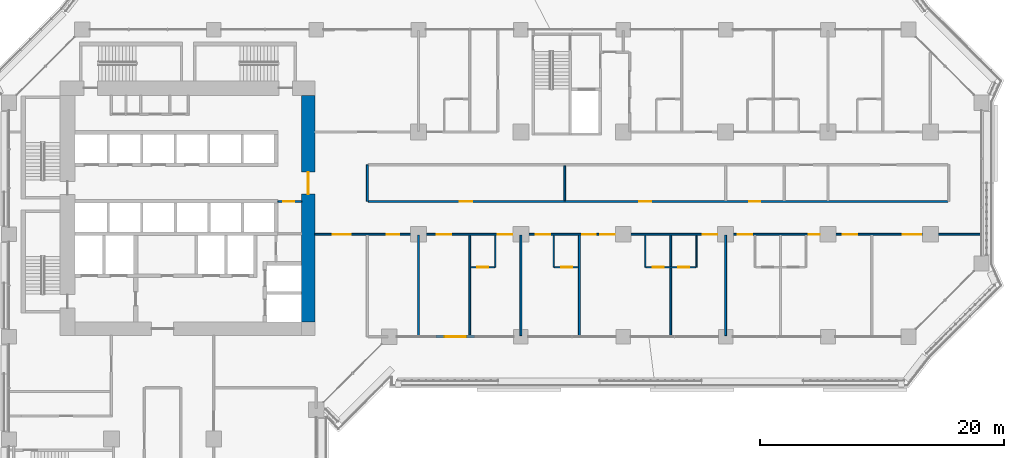
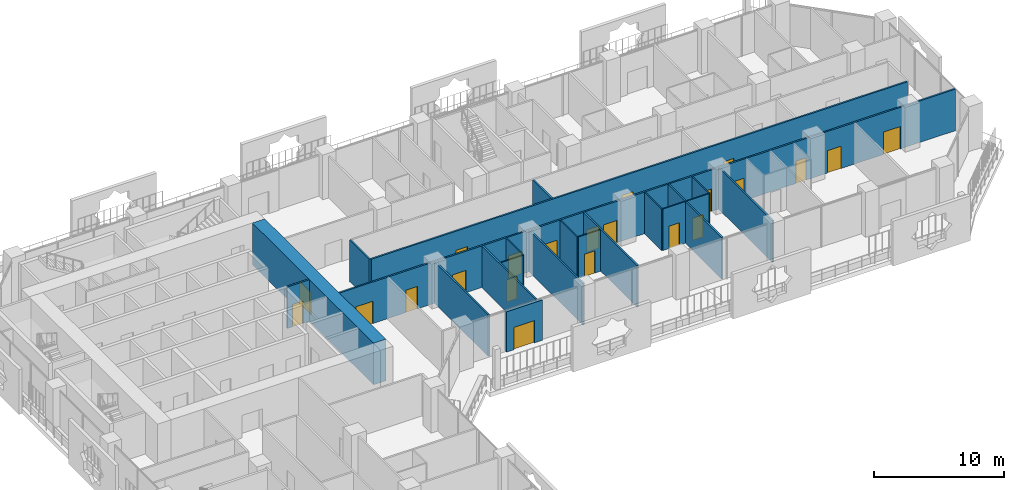
# One storey, part 16 of 28: 22 doors, 20 walls, 22 openings.
"""IFC4 building model written with IfcOpenShell, lengths in metres."""

from ifc_helpers import new_model, si_unit, direction, frame, frame_2d, origin, place, context, subcontext, project, spatial, rectangle, extrude, material, layer, layer_set, type_object, element, fill, save


model = new_model("IFC4")

# Units and contexts
model_context = context("Model", 3, precision=1e-05, world=origin(), true_north=direction((0.0, 1.0)))
body_context = subcontext(model_context, "Body", "Model", "MODEL_VIEW")
ifc_project = project(units=[si_unit("LENGTHUNIT", "METRE"), si_unit("AREAUNIT", "SQUARE_METRE"), si_unit("VOLUMEUNIT", "CUBIC_METRE"), si_unit("PLANEANGLEUNIT", "RADIAN"), si_unit("MASSUNIT", "GRAM", prefix="KILO")], contexts=[model_context])

# Site, building, storey
site_placement = place(None, origin())
site = spatial("IfcSite", under=ifc_project, at=site_placement, CompositionType="ELEMENT")
building_placement = place(site_placement, origin())
building = spatial("IfcBuilding", under=site, at=building_placement, Name="Kawkab Arch Medical Tower", CompositionType="ELEMENT")
storey_placement = place(building_placement, frame((0.0, 0.0, 56.0)))
storey = spatial("IfcBuildingStorey", under=building, at=storey_placement, Name="L12", CompositionType="ELEMENT", Elevation=56.0)

# Wall, opening, door
ifc_material_1 = material(Name="Concrete C60/75", Category="concrete")
ifc_layer_1 = layer(ifc_material_1, 1.10009765625)
ifc_layer_set_1 = layer_set([ifc_layer_1], Name="Concrete C60/75")
wall_type_1 = type_object("IfcWallType", Name="Core ring wall 1100 C60/75", PredefinedType="SHEAR", material=ifc_layer_set_1)
wall_1_placement = place(storey_placement, frame((24.550048828125, -24.0, 0.0), z_axis=(0.0, 0.0, 1.0), x_axis=(0.0, 1.0, 0.0)))
wall_1 = element("IfcWall", 1, at=wall_1_placement, inside=storey, type_object=wall_type_1, Name="L12 core wall", PredefinedType="SHEAR", context=body_context, shape_type="SweptSolid", body=[
    extrude(rectangle(XDim=18.60009765625, YDim=1.10009765625, at=frame_2d((9.300048828125, 0.0))), origin(), (0.0, 0.0, 1.0), 3.89990234375),
])
opening_1_placement = place(wall_1_placement, frame((10.5, 0.0, 0.0)))
opening_1 = element("IfcOpeningElement", 2, at=opening_1_placement, cuts=wall_1, Name="Opening PD", PredefinedType="OPENING", context=body_context, shape_type="SweptSolid", body=[
    extrude(rectangle(XDim=1.800048828125, YDim=2.10009765625, at=frame_2d((0.89990234375, 1.050048828125))), frame((0.0, 0.56005859375, 0.0), z_axis=(0.0, -1.0, 0.0), x_axis=(1.0, 0.0, 0.0)), (0.0, 0.0, 1.0), 1.1201171875),
])
ifc_material_2 = material(Name="Hollow metal fire door leaf")
door_type_1 = type_object("IfcDoorType", Name="Core entrance doors 1800", OperationType="DOUBLE_DOOR_SINGLE_SWING", PredefinedType="DOOR", material=ifc_material_2)
door_1_placement = place(opening_1_placement, origin())
door_1 = element("IfcDoor", 3, at=door_1_placement, inside=storey, type_object=door_type_1, Name="L12 East entrance doors", OperationType="DOUBLE_DOOR_SINGLE_SWING", OverallHeight=2.10009765625, OverallWidth=1.800048828125, PredefinedType="DOOR", context=body_context, shape_type="SweptSolid", body=[
    extrude(rectangle(XDim=1.800048828125, YDim=2.10009765625, at=frame_2d((0.89990234375, 1.050048828125))), frame((0.0, 0.02490234375, 0.0), z_axis=(0.0, -1.0, 0.0), x_axis=(1.0, 0.0, 0.0)), (0.0, 0.0, 1.0), 0.050048828125),
])
fill(opening_1, door_1)

ifc_material_3 = material(Name="Gypsum board on steel studs", Category="steel")
ifc_layer_2 = layer(ifc_material_3, 0.14990234375)
ifc_layer_set_2 = layer_set([ifc_layer_2], Name="Gypsum board on steel studs")
wall_type_2 = type_object("IfcWallType", Name="Core room partition 150", PredefinedType="PARTITIONING", material=ifc_layer_set_2)
wall_2_placement = place(storey_placement, frame((22.050048828125, -14.10009765625, 0.0), z_axis=(0.0, 0.0, 1.0), x_axis=(1.0, 0.0, 0.0)))
wall_2 = element("IfcWall", 4, at=wall_2_placement, inside=storey, type_object=wall_type_2, Name="L12 core room partition", PredefinedType="PARTITIONING", context=body_context, shape_type="SweptSolid", body=[
    extrude(rectangle(XDim=1.949951171875, YDim=0.14990234375, at=frame_2d((0.97509765625, 0.0))), origin(), (0.0, 0.0, 1.0), 3.89990234375),
])
opening_2_placement = place(wall_2_placement, frame((0.449951171875, 0.0, 0.0)))
opening_2 = element("IfcOpeningElement", 5, at=opening_2_placement, cuts=wall_2, Name="Opening RD", PredefinedType="OPENING", context=body_context, shape_type="SweptSolid", body=[
    extrude(rectangle(XDim=0.89990234375, YDim=2.10009765625, at=frame_2d((0.449951171875, 1.050048828125))), frame((0.0, 0.0849609375, 0.0), z_axis=(0.0, -1.0, 0.0), x_axis=(1.0, 0.0, 0.0)), (0.0, 0.0, 1.0), 0.169921875),
])
ifc_material_4 = material(Name="Hollow metal fire door leaf")
door_type_2 = type_object("IfcDoorType", Name="Core room door 900", OperationType="SINGLE_SWING_LEFT", PredefinedType="DOOR", material=ifc_material_4)
door_2_placement = place(opening_2_placement, origin())
door_2 = element("IfcDoor", 6, at=door_2_placement, inside=storey, type_object=door_type_2, Name="L12 Medical gas plant room door", OperationType="SINGLE_SWING_LEFT", OverallHeight=2.10009765625, OverallWidth=0.89990234375, PredefinedType="DOOR", context=body_context, shape_type="SweptSolid", body=[
    extrude(rectangle(XDim=0.89990234375, YDim=2.10009765625, at=frame_2d((0.449951171875, 1.050048828125))), frame((0.0, 0.02490234375, 0.0), z_axis=(0.0, -1.0, 0.0), x_axis=(1.0, 0.0, 0.0)), (0.0, 0.0, 1.0), 0.050048828125),
])
fill(opening_2, door_2)

ifc_material_5 = material(Name="Bronze clad insulated wall panel")
ifc_layer_3 = layer(ifc_material_5, 0.25)
ifc_layer_set_3 = layer_set([ifc_layer_3], Name="Bronze clad insulated wall panel")
wall_type_3 = type_object("IfcWallType", Name="External wall bay 250", PredefinedType="SOLIDWALL", material=ifc_layer_set_3)
wall_3_placement = place(storey_placement, frame((35.0166015625, -25.199951171875, 0.0), z_axis=(0.0, 0.0, 1.0), x_axis=(1.0, 0.0, 0.0)))
wall_3 = element("IfcWall", 7, at=wall_3_placement, inside=storey, type_object=wall_type_3, Name="External wall bay L12.R07.1.2", PredefinedType="SOLIDWALL", context=body_context, shape_type="SweptSolid", body=[
    extrude(rectangle(XDim=3.191650390625, YDim=0.25, at=frame_2d((1.595703125, 0.0))), origin(), (0.0, 0.0, 1.0), 3.780029296875),
])
opening_3_placement = place(wall_3_placement, frame((0.69580078125, 0.0, 0.0)))
opening_3 = element("IfcOpeningElement", 8, at=opening_3_placement, cuts=wall_3, Name="Opening W12-702", PredefinedType="OPENING", context=body_context, shape_type="SweptSolid", body=[
    extrude(rectangle(XDim=1.800048828125, YDim=2.10009765625, at=frame_2d((0.89990234375, 1.050048828125))), frame((0.0, 0.135009765625, 0.0), z_axis=(0.0, -1.0, 0.0), x_axis=(1.0, 0.0, 0.0)), (0.0, 0.0, 1.0), 0.27001953125),
])
ifc_material_6 = material(Name="Bronze anodised aluminium door with tinted glass", Category="aluminium")
door_type_3 = type_object("IfcDoorType", Name="Double external door 1800 x 2100", OperationType="DOUBLE_DOOR_SINGLE_SWING", PredefinedType="DOOR", material=ifc_material_6)
door_3_placement = place(opening_3_placement, origin())
door_3 = element("IfcDoor", 9, at=door_3_placement, inside=storey, type_object=door_type_3, Name="External door L12.R07.1.2", OperationType="DOUBLE_DOOR_SINGLE_SWING", OverallHeight=2.10009765625, OverallWidth=1.800048828125, PredefinedType="DOOR", context=body_context, shape_type="SweptSolid", body=[
    extrude(rectangle(XDim=1.800048828125, YDim=2.10009765625, at=frame_2d((0.89990234375, 1.050048828125))), frame((0.0, 0.02490234375, 0.0), z_axis=(0.0, -1.0, 0.0), x_axis=(1.0, 0.0, 0.0)), (0.0, 0.0, 1.0), 0.050048828125),
])
fill(opening_3, door_3)

ifc_material_7 = material(Name="Gypsum board partition on steel studs", Category="steel")
ifc_layer_4 = layer(ifc_material_7, 0.10009765625)
ifc_layer_set_4 = layer_set([ifc_layer_4], Name="Gypsum board partition on steel studs")
wall_type_4 = type_object("IfcWallType", Name="Partition 100", PredefinedType="PARTITIONING", material=ifc_layer_set_4)
wall_4_placement = place(storey_placement, frame((37.875, -19.5, 0.0), z_axis=(0.0, 0.0, 1.0), x_axis=(1.0, 0.0, 0.0)))
wall_4 = element("IfcWall", 10, at=wall_4_placement, inside=storey, type_object=wall_type_4, Name="Partition 100 w011", PredefinedType="PARTITIONING", context=body_context, shape_type="SweptSolid", body=[
    extrude(rectangle(XDim=1.97509765625, YDim=0.10009765625, at=frame_2d((0.987548828125, 0.0))), origin(), (0.0, 0.0, 1.0), 3.89990234375),
])
opening_4_placement = place(wall_4_placement, frame((0.52490234375, 0.0, 0.0)))
opening_4 = element("IfcOpeningElement", 11, at=opening_4_placement, cuts=wall_4, Name="Opening W12-011", PredefinedType="OPENING", context=body_context, shape_type="SweptSolid", body=[
    extrude(rectangle(XDim=0.89990234375, YDim=2.10009765625, at=frame_2d((0.449951171875, 1.050048828125))), frame((0.0, 0.06005859375, 0.0), z_axis=(0.0, -1.0, 0.0), x_axis=(1.0, 0.0, 0.0)), (0.0, 0.0, 1.0), 0.1201171875),
])
ifc_material_8 = material(Name="Timber door leaf", Category="wood")
door_type_4 = type_object("IfcDoorType", Name="Single door 900x2100", OperationType="NOTDEFINED", PredefinedType="DOOR", material=ifc_material_8)
door_4_placement = place(opening_4_placement, origin())
door_4 = element("IfcDoor", 12, at=door_4_placement, inside=storey, type_object=door_type_4, Name="Door W12-011", OperationType="SINGLE_SWING_LEFT", OverallHeight=2.10009765625, OverallWidth=0.89990234375, PredefinedType="DOOR", context=body_context, shape_type="SweptSolid", body=[
    extrude(rectangle(XDim=0.89990234375, YDim=2.10009765625, at=frame_2d((0.449951171875, 1.050048828125))), frame((0.0, 0.02490234375, 0.0), z_axis=(0.0, -1.0, 0.0), x_axis=(1.0, 0.0, 0.0)), (0.0, 0.0, 1.0), 0.050048828125),
])
fill(opening_4, door_4)

wall_5_placement = place(storey_placement, frame((44.75, -19.5, 0.0), z_axis=(0.0, 0.0, 1.0), x_axis=(1.0, 0.0, 0.0)))
wall_5 = element("IfcWall", 13, at=wall_5_placement, inside=storey, type_object=wall_type_4, Name="Partition 100 w012", PredefinedType="PARTITIONING", context=body_context, shape_type="SweptSolid", body=[
    extrude(rectangle(XDim=1.97509765625, YDim=0.10009765625, at=frame_2d((0.987548828125, 0.0))), origin(), (0.0, 0.0, 1.0), 3.89990234375),
])
opening_5_placement = place(wall_5_placement, frame((0.550048828125, 0.0, 0.0)))
opening_5 = element("IfcOpeningElement", 14, at=opening_5_placement, cuts=wall_5, Name="Opening W12-012", PredefinedType="OPENING", context=body_context, shape_type="SweptSolid", body=[
    extrude(rectangle(XDim=0.89990234375, YDim=2.10009765625, at=frame_2d((0.449951171875, 1.050048828125))), frame((0.0, 0.06005859375, 0.0), z_axis=(0.0, -1.0, 0.0), x_axis=(1.0, 0.0, 0.0)), (0.0, 0.0, 1.0), 0.1201171875),
])
door_5_placement = place(opening_5_placement, origin())
door_5 = element("IfcDoor", 15, at=door_5_placement, inside=storey, type_object=door_type_4, Name="Door W12-012", OperationType="SINGLE_SWING_LEFT", OverallHeight=2.10009765625, OverallWidth=0.89990234375, PredefinedType="DOOR", context=body_context, shape_type="SweptSolid", body=[
    extrude(rectangle(XDim=0.89990234375, YDim=2.10009765625, at=frame_2d((0.449951171875, 1.050048828125))), frame((0.0, 0.02490234375, 0.0), z_axis=(0.0, -1.0, 0.0), x_axis=(1.0, 0.0, 0.0)), (0.0, 0.0, 1.0), 0.050048828125),
])
fill(opening_5, door_5)

# Wall, openings, doors
wall_6_placement = place(storey_placement, frame((52.251953125, -19.5, 0.0), z_axis=(0.0, 0.0, 1.0), x_axis=(1.0, 0.0, 0.0)))
wall_6 = element("IfcWall", 16, at=wall_6_placement, inside=storey, type_object=wall_type_4, Name="Partition 100 w013", PredefinedType="PARTITIONING", context=body_context, shape_type="SweptSolid", body=[
    extrude(rectangle(XDim=4.09814453125, YDim=0.10009765625, at=frame_2d((2.049072265625, 0.0))), origin(), (0.0, 0.0, 1.0), 3.89990234375),
])
opening_6_placement = place(wall_6_placement, frame((0.549072265625, 0.0, 0.0)))
opening_6 = element("IfcOpeningElement", 17, at=opening_6_placement, cuts=wall_6, Name="Opening W12-013", PredefinedType="OPENING", context=body_context, shape_type="SweptSolid", body=[
    extrude(rectangle(XDim=0.89990234375, YDim=2.10009765625, at=frame_2d((0.449951171875, 1.050048828125))), frame((0.0, 0.06005859375, 0.0), z_axis=(0.0, -1.0, 0.0), x_axis=(1.0, 0.0, 0.0)), (0.0, 0.0, 1.0), 0.1201171875),
])
opening_7_placement = place(wall_6_placement, frame((2.64794921875, 0.0, 0.0)))
opening_7 = element("IfcOpeningElement", 18, at=opening_7_placement, cuts=wall_6, Name="Opening W12-014", PredefinedType="OPENING", context=body_context, shape_type="SweptSolid", body=[
    extrude(rectangle(XDim=0.89990234375, YDim=2.10009765625, at=frame_2d((0.449951171875, 1.050048828125))), frame((0.0, 0.06005859375, 0.0), z_axis=(0.0, -1.0, 0.0), x_axis=(1.0, 0.0, 0.0)), (0.0, 0.0, 1.0), 0.1201171875),
])
door_6_placement = place(opening_6_placement, origin())
door_6 = element("IfcDoor", 19, at=door_6_placement, inside=storey, type_object=door_type_4, Name="Door W12-013", OperationType="SINGLE_SWING_RIGHT", OverallHeight=2.10009765625, OverallWidth=0.89990234375, PredefinedType="DOOR", context=body_context, shape_type="SweptSolid", body=[
    extrude(rectangle(XDim=0.89990234375, YDim=2.10009765625, at=frame_2d((0.449951171875, 1.050048828125))), frame((0.0, 0.02490234375, 0.0), z_axis=(0.0, -1.0, 0.0), x_axis=(1.0, 0.0, 0.0)), (0.0, 0.0, 1.0), 0.050048828125),
])
fill(opening_6, door_6)
door_7_placement = place(opening_7_placement, origin())
door_7 = element("IfcDoor", 20, at=door_7_placement, inside=storey, type_object=door_type_4, Name="Door W12-014", OperationType="SINGLE_SWING_LEFT", OverallHeight=2.10009765625, OverallWidth=0.89990234375, PredefinedType="DOOR", context=body_context, shape_type="SweptSolid", body=[
    extrude(rectangle(XDim=0.89990234375, YDim=2.10009765625, at=frame_2d((0.449951171875, 1.050048828125))), frame((0.0, 0.02490234375, 0.0), z_axis=(0.0, -1.0, 0.0), x_axis=(1.0, 0.0, 0.0)), (0.0, 0.0, 1.0), 0.050048828125),
])
fill(opening_7, door_7)

# Walls
for number, where, z_axis, x_axis, name in (
    (21, (39.89990234375, -19.5, 0.0), (0.0, 0.0, 1.0), (0.0, 1.0, 0.0), "Partition 100 w028"),
    (22, (44.699951171875, -19.5, 0.0), (0.0, 0.0, 1.0), (0.0, 1.0, 0.0), "Partition 100 w029"),
):
    element("IfcWall", number, at=place(storey_placement, frame(where, z_axis=z_axis, x_axis=x_axis)), inside=storey, type_object=wall_type_4, Name=name, PredefinedType="PARTITIONING", context=body_context, shape_type="SweptSolid", body=[
        extrude(rectangle(XDim=2.625, YDim=0.10009765625, at=frame_2d((1.3125, 0.0))), origin(), (0.0, 0.0, 1.0), 3.89990234375),
    ])
wall_7_placement = place(storey_placement, frame((52.199951171875, -19.4990234375, 0.0), z_axis=(0.0, 0.0, 1.0), x_axis=(0.0, 1.0, 0.0)))
element("IfcWall", 23, at=wall_7_placement, inside=storey, type_object=wall_type_4, Name="Partition 100 w030", PredefinedType="PARTITIONING", context=body_context, shape_type="SweptSolid", body=[
    extrude(rectangle(XDim=2.6240234375, YDim=0.10009765625, at=frame_2d((1.31201171875, 0.0))), origin(), (0.0, 0.0, 1.0), 3.89990234375),
])
wall_8_placement = place(storey_placement, frame((56.39990234375, -19.5, 0.0), z_axis=(0.0, 0.0, 1.0), x_axis=(0.0, 1.0, 0.0)))
element("IfcWall", 24, at=wall_8_placement, inside=storey, type_object=wall_type_4, Name="Partition 100 w032", PredefinedType="PARTITIONING", context=body_context, shape_type="SweptSolid", body=[
    extrude(rectangle(XDim=2.625, YDim=0.10009765625, at=frame_2d((1.3125, 0.0))), origin(), (0.0, 0.0, 1.0), 3.89990234375),
])

# Wall, openings, doors
ifc_material_9 = material(Name="Gypsum board partition on steel studs, mineral wool", Category="steel")
ifc_layer_5 = layer(ifc_material_9, 0.14990234375)
ifc_layer_set_5 = layer_set([ifc_layer_5], Name="Gypsum board partition on steel studs, mineral wool")
wall_type_5 = type_object("IfcWallType", Name="Partition 150", PredefinedType="PARTITIONING", material=ifc_layer_set_5)
wall_9_placement = place(storey_placement, frame((25.10009765625, -16.800048828125, 0.0), z_axis=(0.0, 0.0, 1.0), x_axis=(1.0, 0.0, 0.0)))
wall_9 = element("IfcWall", 25, at=wall_9_placement, inside=storey, type_object=wall_type_5, Name="Partition 150 w062", PredefinedType="PARTITIONING", context=body_context, shape_type="SweptSolid", body=[
    extrude(rectangle(XDim=54.619873046875, YDim=0.14990234375, at=frame_2d((27.31005859375, 0.0))), origin(), (0.0, 0.0, 1.0), 3.89990234375),
])
opening_8_placement = place(wall_9_placement, frame((1.449951171875, 0.0, 0.0)))
opening_8 = element("IfcOpeningElement", 26, at=opening_8_placement, cuts=wall_9, Name="Opening W12-001", PredefinedType="OPENING", context=body_context, shape_type="SweptSolid", body=[
    extrude(rectangle(XDim=1.5, YDim=2.10009765625, at=frame_2d((0.75, 1.050048828125))), frame((0.0, 0.0849609375, 0.0), z_axis=(0.0, -1.0, 0.0), x_axis=(1.0, 0.0, 0.0)), (0.0, 0.0, 1.0), 0.169921875),
])
opening_9_placement = place(wall_9_placement, frame((5.89990234375, 0.0, 0.0)))
opening_9 = element("IfcOpeningElement", 27, at=opening_9_placement, cuts=wall_9, Name="Opening W12-038", PredefinedType="OPENING", context=body_context, shape_type="SweptSolid", body=[
    extrude(rectangle(XDim=1.0, YDim=2.10009765625, at=frame_2d((0.5, 1.050048828125))), frame((0.0, 0.0849609375, 0.0), z_axis=(0.0, -1.0, 0.0), x_axis=(1.0, 0.0, 0.0)), (0.0, 0.0, 1.0), 0.169921875),
])
opening_10_placement = place(wall_9_placement, frame((10.0, 0.0, 0.0)))
opening_10 = element("IfcOpeningElement", 28, at=opening_10_placement, cuts=wall_9, Name="Opening W12-054", PredefinedType="OPENING", context=body_context, shape_type="SweptSolid", body=[
    extrude(rectangle(XDim=1.199951171875, YDim=2.10009765625, at=frame_2d((0.60009765625, 1.050048828125))), frame((0.0, 0.0849609375, 0.0), z_axis=(0.0, -1.0, 0.0), x_axis=(1.0, 0.0, 0.0)), (0.0, 0.0, 1.0), 0.169921875),
])
opening_11_placement = place(wall_9_placement, frame((15.0, 0.0, 0.0)))
opening_11 = element("IfcOpeningElement", 29, at=opening_11_placement, cuts=wall_9, Name="Opening W12-055", PredefinedType="OPENING", context=body_context, shape_type="SweptSolid", body=[
    extrude(rectangle(XDim=1.199951171875, YDim=2.10009765625, at=frame_2d((0.60009765625, 1.050048828125))), frame((0.0, 0.0849609375, 0.0), z_axis=(0.0, -1.0, 0.0), x_axis=(1.0, 0.0, 0.0)), (0.0, 0.0, 1.0), 0.169921875),
])
opening_12_placement = place(wall_9_placement, frame((18.10009765625, 0.0, 0.0)))
opening_12 = element("IfcOpeningElement", 30, at=opening_12_placement, cuts=wall_9, Name="Opening W12-056", PredefinedType="OPENING", context=body_context, shape_type="SweptSolid", body=[
    extrude(rectangle(XDim=1.199951171875, YDim=2.10009765625, at=frame_2d((0.60009765625, 1.050048828125))), frame((0.0, 0.0849609375, 0.0), z_axis=(0.0, -1.0, 0.0), x_axis=(1.0, 0.0, 0.0)), (0.0, 0.0, 1.0), 0.169921875),
])
opening_13_placement = place(wall_9_placement, frame((23.39990234375, 0.0, 0.0)))
opening_13 = element("IfcOpeningElement", 31, at=opening_13_placement, cuts=wall_9, Name="Opening W12-057", PredefinedType="OPENING", context=body_context, shape_type="SweptSolid", body=[
    extrude(rectangle(XDim=1.199951171875, YDim=2.10009765625, at=frame_2d((0.60009765625, 1.050048828125))), frame((0.0, 0.0849609375, 0.0), z_axis=(0.0, -1.0, 0.0), x_axis=(1.0, 0.0, 0.0)), (0.0, 0.0, 1.0), 0.169921875),
])
opening_14_placement = place(wall_9_placement, frame((21.949951171875, 0.0, 0.0)))
opening_14 = element("IfcOpeningElement", 32, at=opening_14_placement, cuts=wall_9, Name="Opening W12-046", PredefinedType="OPENING", context=body_context, shape_type="SweptSolid", body=[
    extrude(rectangle(XDim=1.10009765625, YDim=2.10009765625, at=frame_2d((0.550048828125, 1.050048828125))), frame((0.0, 0.0849609375, 0.0), z_axis=(0.0, -1.0, 0.0), x_axis=(1.0, 0.0, 0.0)), (0.0, 0.0, 1.0), 0.169921875),
])
opening_15_placement = place(wall_9_placement, frame((31.800048828125, 0.0, 0.0)))
opening_15 = element("IfcOpeningElement", 33, at=opening_15_placement, cuts=wall_9, Name="Opening W12-058", PredefinedType="OPENING", context=body_context, shape_type="SweptSolid", body=[
    extrude(rectangle(XDim=1.199951171875, YDim=2.10009765625, at=frame_2d((0.60009765625, 1.050048828125))), frame((0.0, 0.0849609375, 0.0), z_axis=(0.0, -1.0, 0.0), x_axis=(1.0, 0.0, 0.0)), (0.0, 0.0, 1.0), 0.169921875),
])
opening_16_placement = place(wall_9_placement, frame((34.699951171875, 0.0, 0.0)))
opening_16 = element("IfcOpeningElement", 34, at=opening_16_placement, cuts=wall_9, Name="Opening W12-059", PredefinedType="OPENING", context=body_context, shape_type="SweptSolid", body=[
    extrude(rectangle(XDim=1.199951171875, YDim=2.10009765625, at=frame_2d((0.60009765625, 1.050048828125))), frame((0.0, 0.0849609375, 0.0), z_axis=(0.0, -1.0, 0.0), x_axis=(1.0, 0.0, 0.0)), (0.0, 0.0, 1.0), 0.169921875),
])
opening_17_placement = place(wall_9_placement, frame((43.300048828125, 0.0, 0.0)))
opening_17 = element("IfcOpeningElement", 35, at=opening_17_placement, cuts=wall_9, Name="Opening W12-060", PredefinedType="OPENING", context=body_context, shape_type="SweptSolid", body=[
    extrude(rectangle(XDim=1.199951171875, YDim=2.10009765625, at=frame_2d((0.60009765625, 1.050048828125))), frame((0.0, 0.0849609375, 0.0), z_axis=(0.0, -1.0, 0.0), x_axis=(1.0, 0.0, 0.0)), (0.0, 0.0, 1.0), 0.169921875),
])
opening_18_placement = place(wall_9_placement, frame((40.5, 0.0, 0.0)))
opening_18 = element("IfcOpeningElement", 36, at=opening_18_placement, cuts=wall_9, Name="Opening W12-026", PredefinedType="OPENING", context=body_context, shape_type="SweptSolid", body=[
    extrude(rectangle(XDim=0.89990234375, YDim=2.10009765625, at=frame_2d((0.449951171875, 1.050048828125))), frame((0.0, 0.0849609375, 0.0), z_axis=(0.0, -1.0, 0.0), x_axis=(1.0, 0.0, 0.0)), (0.0, 0.0, 1.0), 0.169921875),
])
opening_19_placement = place(wall_9_placement, frame((48.25, 0.0, 0.0)))
opening_19 = element("IfcOpeningElement", 37, at=opening_19_placement, cuts=wall_9, Name="Opening W12-003", PredefinedType="OPENING", context=body_context, shape_type="SweptSolid", body=[
    extrude(rectangle(XDim=1.5, YDim=2.10009765625, at=frame_2d((0.75, 1.050048828125))), frame((0.0, 0.0849609375, 0.0), z_axis=(0.0, -1.0, 0.0), x_axis=(1.0, 0.0, 0.0)), (0.0, 0.0, 1.0), 0.169921875),
])
ifc_material_10 = material(Name="Hollow metal door leaf")
door_type_5 = type_object("IfcDoorType", Name="Double door 1500x2100 FD30S", OperationType="NOTDEFINED", PredefinedType="DOOR", material=ifc_material_10)
door_8_placement = place(opening_8_placement, origin())
door_8 = element("IfcDoor", 38, at=door_8_placement, inside=storey, type_object=door_type_5, Name="Door W12-001", OperationType="DOUBLE_DOOR_SINGLE_SWING", OverallHeight=2.10009765625, OverallWidth=1.5, PredefinedType="DOOR", context=body_context, shape_type="SweptSolid", body=[
    extrude(rectangle(XDim=1.5, YDim=2.10009765625, at=frame_2d((0.75, 1.050048828125))), frame((0.0, 0.02490234375, 0.0), z_axis=(0.0, -1.0, 0.0), x_axis=(1.0, 0.0, 0.0)), (0.0, 0.0, 1.0), 0.050048828125),
])
fill(opening_8, door_8)
door_9_placement = place(opening_19_placement, origin())
door_9 = element("IfcDoor", 39, at=door_9_placement, inside=storey, type_object=door_type_5, Name="Door W12-003", OperationType="DOUBLE_DOOR_SINGLE_SWING", OverallHeight=2.10009765625, OverallWidth=1.5, PredefinedType="DOOR", context=body_context, shape_type="SweptSolid", body=[
    extrude(rectangle(XDim=1.5, YDim=2.10009765625, at=frame_2d((0.75, 1.050048828125))), frame((0.0, 0.02490234375, 0.0), z_axis=(0.0, -1.0, 0.0), x_axis=(1.0, 0.0, 0.0)), (0.0, 0.0, 1.0), 0.050048828125),
])
fill(opening_19, door_9)
ifc_material_11 = material(Name="Hollow metal door leaf")
door_type_6 = type_object("IfcDoorType", Name="Single door 1000x2100 FD30S", OperationType="NOTDEFINED", PredefinedType="DOOR", material=ifc_material_11)
door_10_placement = place(opening_9_placement, origin())
door_10 = element("IfcDoor", 40, at=door_10_placement, inside=storey, type_object=door_type_6, Name="Door W12-038", OperationType="SINGLE_SWING_RIGHT", OverallHeight=2.10009765625, OverallWidth=1.0, PredefinedType="DOOR", context=body_context, shape_type="SweptSolid", body=[
    extrude(rectangle(XDim=1.0, YDim=2.10009765625, at=frame_2d((0.5, 1.050048828125))), frame((0.0, 0.02490234375, 0.0), z_axis=(0.0, -1.0, 0.0), x_axis=(1.0, 0.0, 0.0)), (0.0, 0.0, 1.0), 0.050048828125),
])
fill(opening_9, door_10)
ifc_material_12 = material(Name="Hollow metal door leaf")
door_type_7 = type_object("IfcDoorType", Name="Single door 1100x2100 FD30S", OperationType="NOTDEFINED", PredefinedType="DOOR", material=ifc_material_12)
door_11_placement = place(opening_14_placement, origin())
door_11 = element("IfcDoor", 41, at=door_11_placement, inside=storey, type_object=door_type_7, Name="Door W12-046", OperationType="SINGLE_SWING_RIGHT", OverallHeight=2.10009765625, OverallWidth=1.10009765625, PredefinedType="DOOR", context=body_context, shape_type="SweptSolid", body=[
    extrude(rectangle(XDim=1.10009765625, YDim=2.10009765625, at=frame_2d((0.550048828125, 1.050048828125))), frame((0.0, 0.02490234375, 0.0), z_axis=(0.0, -1.0, 0.0), x_axis=(1.0, 0.0, 0.0)), (0.0, 0.0, 1.0), 0.050048828125),
])
fill(opening_14, door_11)
ifc_material_13 = material(Name="Hollow metal door leaf")
door_type_8 = type_object("IfcDoorType", Name="Single door 1200x2100 FD30S", OperationType="NOTDEFINED", PredefinedType="DOOR", material=ifc_material_13)
door_12_placement = place(opening_10_placement, origin())
door_12 = element("IfcDoor", 42, at=door_12_placement, inside=storey, type_object=door_type_8, Name="Door W12-054", OperationType="SINGLE_SWING_RIGHT", OverallHeight=2.10009765625, OverallWidth=1.199951171875, PredefinedType="DOOR", context=body_context, shape_type="SweptSolid", body=[
    extrude(rectangle(XDim=1.199951171875, YDim=2.10009765625, at=frame_2d((0.60009765625, 1.050048828125))), frame((0.0, 0.02490234375, 0.0), z_axis=(0.0, -1.0, 0.0), x_axis=(1.0, 0.0, 0.0)), (0.0, 0.0, 1.0), 0.050048828125),
])
fill(opening_10, door_12)
door_13_placement = place(opening_11_placement, origin())
door_13 = element("IfcDoor", 43, at=door_13_placement, inside=storey, type_object=door_type_8, Name="Door W12-055", OperationType="SINGLE_SWING_RIGHT", OverallHeight=2.10009765625, OverallWidth=1.199951171875, PredefinedType="DOOR", context=body_context, shape_type="SweptSolid", body=[
    extrude(rectangle(XDim=1.199951171875, YDim=2.10009765625, at=frame_2d((0.60009765625, 1.050048828125))), frame((0.0, 0.02490234375, 0.0), z_axis=(0.0, -1.0, 0.0), x_axis=(1.0, 0.0, 0.0)), (0.0, 0.0, 1.0), 0.050048828125),
])
fill(opening_11, door_13)
door_14_placement = place(opening_12_placement, origin())
door_14 = element("IfcDoor", 44, at=door_14_placement, inside=storey, type_object=door_type_8, Name="Door W12-056", OperationType="SINGLE_SWING_RIGHT", OverallHeight=2.10009765625, OverallWidth=1.199951171875, PredefinedType="DOOR", context=body_context, shape_type="SweptSolid", body=[
    extrude(rectangle(XDim=1.199951171875, YDim=2.10009765625, at=frame_2d((0.60009765625, 1.050048828125))), frame((0.0, 0.02490234375, 0.0), z_axis=(0.0, -1.0, 0.0), x_axis=(1.0, 0.0, 0.0)), (0.0, 0.0, 1.0), 0.050048828125),
])
fill(opening_12, door_14)
door_15_placement = place(opening_13_placement, origin())
door_15 = element("IfcDoor", 45, at=door_15_placement, inside=storey, type_object=door_type_8, Name="Door W12-057", OperationType="SINGLE_SWING_RIGHT", OverallHeight=2.10009765625, OverallWidth=1.199951171875, PredefinedType="DOOR", context=body_context, shape_type="SweptSolid", body=[
    extrude(rectangle(XDim=1.199951171875, YDim=2.10009765625, at=frame_2d((0.60009765625, 1.050048828125))), frame((0.0, 0.02490234375, 0.0), z_axis=(0.0, -1.0, 0.0), x_axis=(1.0, 0.0, 0.0)), (0.0, 0.0, 1.0), 0.050048828125),
])
fill(opening_13, door_15)
door_16_placement = place(opening_15_placement, origin())
door_16 = element("IfcDoor", 46, at=door_16_placement, inside=storey, type_object=door_type_8, Name="Door W12-058", OperationType="SINGLE_SWING_LEFT", OverallHeight=2.10009765625, OverallWidth=1.199951171875, PredefinedType="DOOR", context=body_context, shape_type="SweptSolid", body=[
    extrude(rectangle(XDim=1.199951171875, YDim=2.10009765625, at=frame_2d((0.60009765625, 1.050048828125))), frame((0.0, 0.02490234375, 0.0), z_axis=(0.0, -1.0, 0.0), x_axis=(1.0, 0.0, 0.0)), (0.0, 0.0, 1.0), 0.050048828125),
])
fill(opening_15, door_16)
door_17_placement = place(opening_16_placement, origin())
door_17 = element("IfcDoor", 47, at=door_17_placement, inside=storey, type_object=door_type_8, Name="Door W12-059", OperationType="SINGLE_SWING_LEFT", OverallHeight=2.10009765625, OverallWidth=1.199951171875, PredefinedType="DOOR", context=body_context, shape_type="SweptSolid", body=[
    extrude(rectangle(XDim=1.199951171875, YDim=2.10009765625, at=frame_2d((0.60009765625, 1.050048828125))), frame((0.0, 0.02490234375, 0.0), z_axis=(0.0, -1.0, 0.0), x_axis=(1.0, 0.0, 0.0)), (0.0, 0.0, 1.0), 0.050048828125),
])
fill(opening_16, door_17)
door_18_placement = place(opening_17_placement, origin())
door_18 = element("IfcDoor", 48, at=door_18_placement, inside=storey, type_object=door_type_8, Name="Door W12-060", OperationType="SINGLE_SWING_LEFT", OverallHeight=2.10009765625, OverallWidth=1.199951171875, PredefinedType="DOOR", context=body_context, shape_type="SweptSolid", body=[
    extrude(rectangle(XDim=1.199951171875, YDim=2.10009765625, at=frame_2d((0.60009765625, 1.050048828125))), frame((0.0, 0.02490234375, 0.0), z_axis=(0.0, -1.0, 0.0), x_axis=(1.0, 0.0, 0.0)), (0.0, 0.0, 1.0), 0.050048828125),
])
fill(opening_17, door_18)
ifc_material_14 = material(Name="Hollow metal door leaf")
door_type_9 = type_object("IfcDoorType", Name="Single door 900x2100 FD30S", OperationType="NOTDEFINED", PredefinedType="DOOR", material=ifc_material_14)
door_19_placement = place(opening_18_placement, origin())
door_19 = element("IfcDoor", 49, at=door_19_placement, inside=storey, type_object=door_type_9, Name="Door W12-026", OperationType="SINGLE_SWING_LEFT", OverallHeight=2.10009765625, OverallWidth=0.89990234375, PredefinedType="DOOR", context=body_context, shape_type="SweptSolid", body=[
    extrude(rectangle(XDim=0.89990234375, YDim=2.10009765625, at=frame_2d((0.449951171875, 1.050048828125))), frame((0.0, 0.02490234375, 0.0), z_axis=(0.0, -1.0, 0.0), x_axis=(1.0, 0.0, 0.0)), (0.0, 0.0, 1.0), 0.050048828125),
])
fill(opening_18, door_19)

wall_10_placement = place(storey_placement, frame((29.47509765625, -14.10009765625, 0.0), z_axis=(0.0, 0.0, 1.0), x_axis=(1.0, 0.0, 0.0)))
wall_10 = element("IfcWall", 50, at=wall_10_placement, inside=storey, type_object=wall_type_5, Name="Partition 150 w063", PredefinedType="PARTITIONING", context=body_context, shape_type="SweptSolid", body=[
    extrude(rectangle(XDim=47.5498046875, YDim=0.14990234375, at=frame_2d((23.77490234375, 0.0))), origin(), (0.0, 0.0, 1.0), 3.89990234375),
])
opening_20_placement = place(wall_10_placement, frame((7.52490234375, 0.0, 0.0)))
opening_20 = element("IfcOpeningElement", 51, at=opening_20_placement, cuts=wall_10, Name="Opening W12-035", PredefinedType="OPENING", context=body_context, shape_type="SweptSolid", body=[
    extrude(rectangle(XDim=1.0, YDim=2.10009765625, at=frame_2d((0.5, 1.050048828125))), frame((0.0, 0.0849609375, 0.0), z_axis=(0.0, -1.0, 0.0), x_axis=(1.0, 0.0, 0.0)), (0.0, 0.0, 1.0), 0.169921875),
])
opening_21_placement = place(wall_10_placement, frame((22.22509765625, 0.0, 0.0)))
opening_21 = element("IfcOpeningElement", 52, at=opening_21_placement, cuts=wall_10, Name="Opening W12-036", PredefinedType="OPENING", context=body_context, shape_type="SweptSolid", body=[
    extrude(rectangle(XDim=1.0, YDim=2.10009765625, at=frame_2d((0.5, 1.050048828125))), frame((0.0, 0.0849609375, 0.0), z_axis=(0.0, -1.0, 0.0), x_axis=(1.0, 0.0, 0.0)), (0.0, 0.0, 1.0), 0.169921875),
])
opening_22_placement = place(wall_10_placement, frame((31.27490234375, 0.0, 0.0)))
opening_22 = element("IfcOpeningElement", 53, at=opening_22_placement, cuts=wall_10, Name="Opening W12-010", PredefinedType="OPENING", context=body_context, shape_type="SweptSolid", body=[
    extrude(rectangle(XDim=0.89990234375, YDim=2.10009765625, at=frame_2d((0.449951171875, 1.050048828125))), frame((0.0, 0.0849609375, 0.0), z_axis=(0.0, -1.0, 0.0), x_axis=(1.0, 0.0, 0.0)), (0.0, 0.0, 1.0), 0.169921875),
])
door_20_placement = place(opening_20_placement, origin())
door_20 = element("IfcDoor", 54, at=door_20_placement, inside=storey, type_object=door_type_6, Name="Door W12-035", OperationType="SINGLE_SWING_LEFT", OverallHeight=2.10009765625, OverallWidth=1.0, PredefinedType="DOOR", context=body_context, shape_type="SweptSolid", body=[
    extrude(rectangle(XDim=1.0, YDim=2.10009765625, at=frame_2d((0.5, 1.050048828125))), frame((0.0, 0.02490234375, 0.0), z_axis=(0.0, -1.0, 0.0), x_axis=(1.0, 0.0, 0.0)), (0.0, 0.0, 1.0), 0.050048828125),
])
fill(opening_20, door_20)
door_21_placement = place(opening_21_placement, origin())
door_21 = element("IfcDoor", 55, at=door_21_placement, inside=storey, type_object=door_type_6, Name="Door W12-036", OperationType="SINGLE_SWING_LEFT", OverallHeight=2.10009765625, OverallWidth=1.0, PredefinedType="DOOR", context=body_context, shape_type="SweptSolid", body=[
    extrude(rectangle(XDim=1.0, YDim=2.10009765625, at=frame_2d((0.5, 1.050048828125))), frame((0.0, 0.02490234375, 0.0), z_axis=(0.0, -1.0, 0.0), x_axis=(1.0, 0.0, 0.0)), (0.0, 0.0, 1.0), 0.050048828125),
])
fill(opening_21, door_21)
door_22_placement = place(opening_22_placement, origin())
door_22 = element("IfcDoor", 56, at=door_22_placement, inside=storey, type_object=door_type_4, Name="Door W12-010", OperationType="SINGLE_SWING_RIGHT", OverallHeight=2.10009765625, OverallWidth=0.89990234375, PredefinedType="DOOR", context=body_context, shape_type="SweptSolid", body=[
    extrude(rectangle(XDim=0.89990234375, YDim=2.10009765625, at=frame_2d((0.449951171875, 1.050048828125))), frame((0.0, 0.02490234375, 0.0), z_axis=(0.0, -1.0, 0.0), x_axis=(1.0, 0.0, 0.0)), (0.0, 0.0, 1.0), 0.050048828125),
])
fill(opening_22, door_22)

# Walls
wall_11_placement = place(storey_placement, frame((29.39990234375, -14.10009765625, 0.0), z_axis=(0.0, 0.0, 1.0), x_axis=(0.0, 1.0, 0.0)))
element("IfcWall", 57, at=wall_11_placement, inside=storey, type_object=wall_type_5, Name="Partition 150 w081", PredefinedType="PARTITIONING", context=body_context, shape_type="SweptSolid", body=[
    extrude(rectangle(XDim=3.0, YDim=0.14990234375, at=frame_2d((1.5, 0.0))), origin(), (0.0, 0.0, 1.0), 3.89990234375),
])
for number, where, z_axis, x_axis, name in (
    (58, (33.60009765625, -25.1201171875, 0.0), (0.0, 0.0, 1.0), (0.0, 1.0, 0.0), "Partition 150 w082"),
    (59, (37.800048828125, -25.1201171875, 0.0), (0.0, 0.0, 1.0), (0.0, 1.0, 0.0), "Partition 150 w084"),
    (60, (42.0, -25.1201171875, 0.0), (0.0, 0.0, 1.0), (0.0, 1.0, 0.0), "Partition 150 w088"),
):
    element("IfcWall", number, at=place(storey_placement, frame(where, z_axis=z_axis, x_axis=x_axis)), inside=storey, type_object=wall_type_5, Name=name, PredefinedType="PARTITIONING", context=body_context, shape_type="SweptSolid", body=[
        extrude(rectangle(XDim=8.2451171875, YDim=0.14990234375, at=frame_2d((4.12255859375, 0.0))), origin(), (0.0, 0.0, 1.0), 3.89990234375),
    ])
wall_12_placement = place(storey_placement, frame((45.60009765625, -14.02490234375, 0.0), z_axis=(0.0, 0.0, 1.0), x_axis=(0.0, 1.0, 0.0)))
element("IfcWall", 61, at=wall_12_placement, inside=storey, type_object=wall_type_5, Name="Partition 150 w090", PredefinedType="PARTITIONING", context=body_context, shape_type="SweptSolid", body=[
    extrude(rectangle(XDim=2.849853515625, YDim=0.14990234375, at=frame_2d((1.4248046875, 0.0))), origin(), (0.0, 0.0, 1.0), 3.89990234375),
])
for number, where, z_axis, x_axis, name in (
    (62, (46.800048828125, -25.1201171875, 0.0), (0.0, 0.0, 1.0), (0.0, 1.0, 0.0), "Partition 150 w091"),
    (63, (54.300048828125, -25.1201171875, 0.0), (0.0, 0.0, 1.0), (0.0, 1.0, 0.0), "Partition 150 w094"),
    (64, (58.800048828125, -25.1201171875, 0.0), (0.0, 0.0, 1.0), (0.0, 1.0, 0.0), "Partition 150 w096"),
):
    element("IfcWall", number, at=place(storey_placement, frame(where, z_axis=z_axis, x_axis=x_axis)), inside=storey, type_object=wall_type_5, Name=name, PredefinedType="PARTITIONING", context=body_context, shape_type="SweptSolid", body=[
        extrude(rectangle(XDim=8.2451171875, YDim=0.14990234375, at=frame_2d((4.12255859375, 0.0))), origin(), (0.0, 0.0, 1.0), 3.89990234375),
    ])

save(model, "model.ifc")
